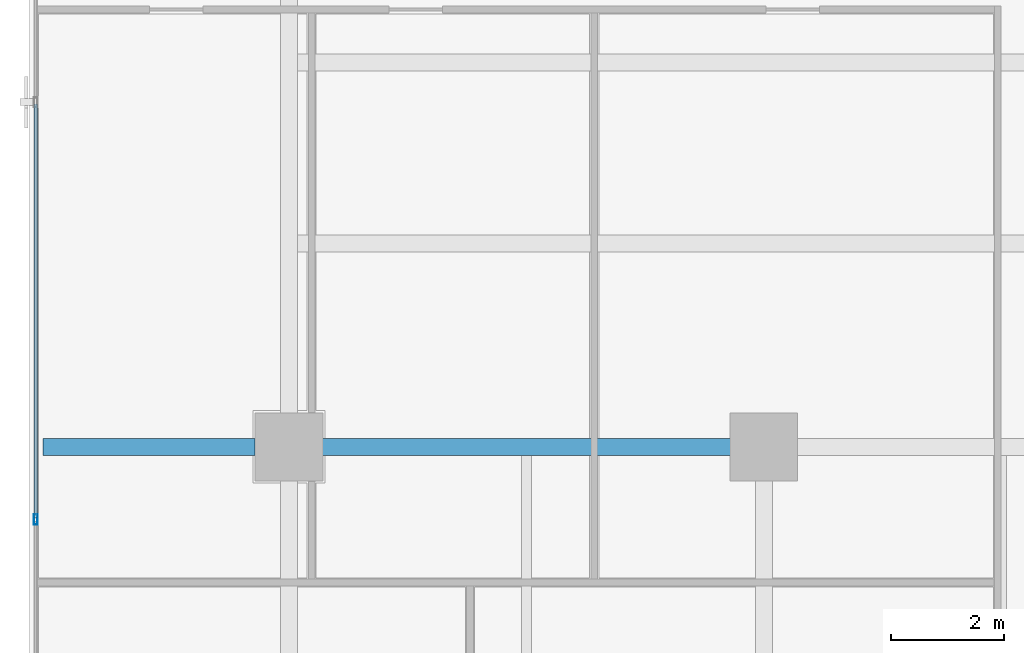
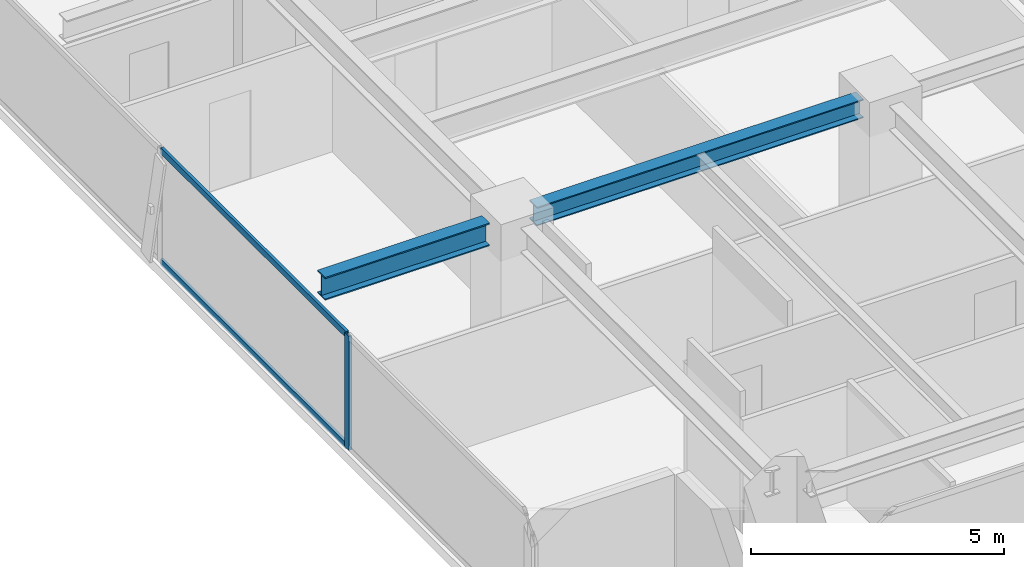
# One storey, part 4 of 23: 3 members, 2 beams, 1 element without a shape of its own.
"""IFC4 building model written with IfcOpenShell, lengths in metres."""

from ifc_helpers import new_model, si_unit, direction, frame, origin, origin_2d, place, context, subcontext, project, spatial, hollow_rectangle, i_section, extrude, source, transform, mapped, material, layer, layer_set, material_profile, profile_set, type_object, element, aggregate, save


model = new_model("IFC4")

# Units and contexts
model_context = context("Model", 3, precision=1e-05, world=origin(), true_north=direction((0.0, 1.0)))
body_context = subcontext(model_context, "Body", "Model", "MODEL_VIEW")
ifc_project = project(units=[si_unit("LENGTHUNIT", "METRE"), si_unit("AREAUNIT", "SQUARE_METRE"), si_unit("VOLUMEUNIT", "CUBIC_METRE"), si_unit("PLANEANGLEUNIT", "RADIAN"), si_unit("MASSUNIT", "GRAM", prefix="KILO")], contexts=[model_context])

# Site, building, storey
site_placement = place(None, origin())
site = spatial("IfcSite", under=ifc_project, at=site_placement, CompositionType="ELEMENT")
building_placement = place(site_placement, origin())
building = spatial("IfcBuilding", under=site, at=building_placement, Name="Sumidabori Civic Tower", CompositionType="ELEMENT")
storey_placement = place(building_placement, frame((0.0, 0.0, 275.60009765625)))
storey = spatial("IfcBuildingStorey", under=building, at=storey_placement, Name="L72", CompositionType="ELEMENT", Elevation=275.60009765625)

# Beams
ifc_material_1 = material(Name="Steel SN490", Category="steel")
ifc_material_profile_1 = material_profile(ifc_material_1, i_section(OverallWidth=0.300048828125, OverallDepth=0.449951171875, WebThickness=0.013916015625, FlangeThickness=0.02587890625, at=origin_2d()), Name="HE 450 B")
ifc_profile_set_1 = profile_set([ifc_material_profile_1], Name="Steel SN490")
beam_type_1 = type_object("IfcBeamType", Name="BM-GIRD-450", PredefinedType="BEAM", material=ifc_profile_set_1)
shared_shape_1 = source(origin(), body_context, "Body", "SweptSolid", [
    extrude(i_section(OverallWidth=0.300048828125, OverallDepth=0.449951171875, WebThickness=0.013916015625, FlangeThickness=0.02587890625, at=origin_2d()), origin(), (0.0, 0.0, 1.0), 7.440185546875),
])
beam_1_placement = place(storey_placement, frame((-16.320068359375, 0.0, 3.14501953125), z_axis=(1.0, 0.0, 0.0), x_axis=(0.0, 1.0, 0.0)))
element("IfcBeam", 1, at=beam_1_placement, inside=storey, type_object=beam_type_1, Name="Primary Girder L72 GX-05", PredefinedType="BEAM", context=body_context, shape_type="MappedRepresentation", body=[
    mapped(shared_shape_1, transform((0.0, 0.0, 0.0), x_axis=(1.0, 0.0, 0.0), y_axis=(0.0, 1.0, 0.0), z_axis=(0.0, 0.0, 1.0), scale=1.0)),
])
ifc_material_profile_2 = material_profile(ifc_material_1, i_section(OverallWidth=0.300048828125, OverallDepth=0.550048828125, WebThickness=0.014892578125, FlangeThickness=0.029052734375, at=origin_2d()), Name="HE 550 B")
ifc_profile_set_2 = profile_set([ifc_material_profile_2], Name="Steel SN490")
beam_type_2 = type_object("IfcBeamType", Name="BM-Z4-EDGE", PredefinedType="SPANDREL", material=ifc_profile_set_2)
shared_shape_2 = source(origin(), body_context, "Body", "SweptSolid", [
    extrude(i_section(OverallWidth=0.300048828125, OverallDepth=0.550048828125, WebThickness=0.014892578125, FlangeThickness=0.029052734375, at=origin_2d()), origin(), (0.0, 0.0, 1.0), 3.75),
])
beam_2_placement = place(storey_placement, frame((-21.14990234375, 0.0, 3.094970703125), z_axis=(1.0, 0.0, 0.0), x_axis=(0.0, 1.0, 0.0)))
element("IfcBeam", 2, at=beam_2_placement, inside=storey, type_object=beam_type_2, Name="Perimeter Overhang Beam L72 W-19", PredefinedType="SPANDREL", context=body_context, shape_type="MappedRepresentation", body=[
    mapped(shared_shape_2, transform((0.0, 0.0, 0.0), x_axis=(1.0, 0.0, 0.0), y_axis=(0.0, 1.0, 0.0), z_axis=(0.0, 0.0, 1.0), scale=1.0)),
])

# Curtain wall, members
ifc_material_2 = material(Name="Anodised Bronze Aluminium AW-6063-T6", Category="aluminium")
ifc_layer = layer(ifc_material_2, 0.179931640625, Name="Anodised Bronze Aluminium AW-6063-T6")
ifc_layer_set = layer_set([ifc_layer], Name="Anodised Bronze Aluminium AW-6063-T6")
curtain_wall_type = type_object("IfcCurtainWallType", Name="CW-SYS-6", PredefinedType="NOTDEFINED", material=ifc_layer_set)
curtain_wall_placement = place(storey_placement, origin())
curtain_wall = element("IfcCurtainWall", 3, at=curtain_wall_placement, inside=storey, type_object=curtain_wall_type, Name="Curtain Wall CW:L72:R10", PredefinedType="NOTDEFINED")
ifc_material_profile_3 = material_profile(ifc_material_2, hollow_rectangle(XDim=0.070068359375, YDim=0.179931640625, WallThickness=0.006103515625, at=origin_2d()), Name="ALU MULLION 180x70")
ifc_profile_set_3 = profile_set([ifc_material_profile_3], Name="Anodised Bronze Aluminium AW-6063-T6")
member_type_1 = type_object("IfcMemberType", Name="CW-MUL-180", PredefinedType="MULLION", material=ifc_profile_set_3)
shared_shape_3 = source(origin(), body_context, "Body", "SweptSolid", [
    extrude(hollow_rectangle(XDim=0.070068359375, YDim=0.179931640625, WallThickness=0.006103515625, at=origin_2d()), origin(), (0.0, 0.0, 1.0), 2.75),
])
member_1_placement = place(storey_placement, frame((-21.280029296875, -1.284912109375, 0.0), z_axis=(0.0, 0.0, 1.0), x_axis=(1.0, 0.0, 0.0)))
member_1 = element("IfcMember", 4, at=member_1_placement, type_object=member_type_1, Name="CW-6 mullion 4", PredefinedType="MULLION", context=body_context, shape_type="MappedRepresentation", body=[
    mapped(shared_shape_3, transform((0.0, 0.0, 0.0), x_axis=(1.0, 0.0, 0.0), y_axis=(0.0, 1.0, 0.0), z_axis=(0.0, 0.0, 1.0), scale=1.0)),
])
ifc_material_profile_4 = material_profile(ifc_material_2, hollow_rectangle(XDim=0.06494140625, YDim=0.14990234375, WallThickness=0.0048828125, at=origin_2d()), Name="ALU TRANSOM 150x65")
ifc_profile_set_4 = profile_set([ifc_material_profile_4], Name="Anodised Bronze Aluminium AW-6063-T6")
member_type_2 = type_object("IfcMemberType", Name="CW-TRN-150", PredefinedType="USERDEFINED", material=ifc_profile_set_4)
shared_shape_4 = source(origin(), body_context, "Body", "SweptSolid", [
    extrude(hollow_rectangle(XDim=0.06494140625, YDim=0.14990234375, WallThickness=0.0048828125, at=origin_2d()), origin(), (0.0, 0.0, 1.0), 7.31494140625),
])
member_2_placement = place(storey_placement, frame((-21.280029296875, 6.06494140625, 0.032470703125), z_axis=(0.0, -1.0, 0.0), x_axis=(1.0, 0.0, 0.0)))
member_2 = element("IfcMember", 5, at=member_2_placement, type_object=member_type_2, Name="CW-6 transom 3.1", ObjectType="TRANSOM", PredefinedType="USERDEFINED", context=body_context, shape_type="MappedRepresentation", body=[
    mapped(shared_shape_4, transform((0.0, 0.0, 0.0), x_axis=(1.0, 0.0, 0.0), y_axis=(0.0, 1.0, 0.0), z_axis=(0.0, 0.0, 1.0), scale=1.0)),
])
member_3_placement = place(storey_placement, frame((-21.280029296875, 6.06494140625, 2.71728515625), z_axis=(0.0, -1.0, 0.0), x_axis=(1.0, 0.0, 0.0)))
member_3 = element("IfcMember", 6, at=member_3_placement, type_object=member_type_2, Name="CW-6 transom 3.2", ObjectType="TRANSOM", PredefinedType="USERDEFINED", context=body_context, shape_type="MappedRepresentation", body=[
    mapped(shared_shape_4, transform((0.0, 0.0, 0.0), x_axis=(1.0, 0.0, 0.0), y_axis=(0.0, 1.0, 0.0), z_axis=(0.0, 0.0, 1.0), scale=1.0)),
])
aggregate(curtain_wall, [member_1, member_2, member_3])

save(model, "model.ifc")
